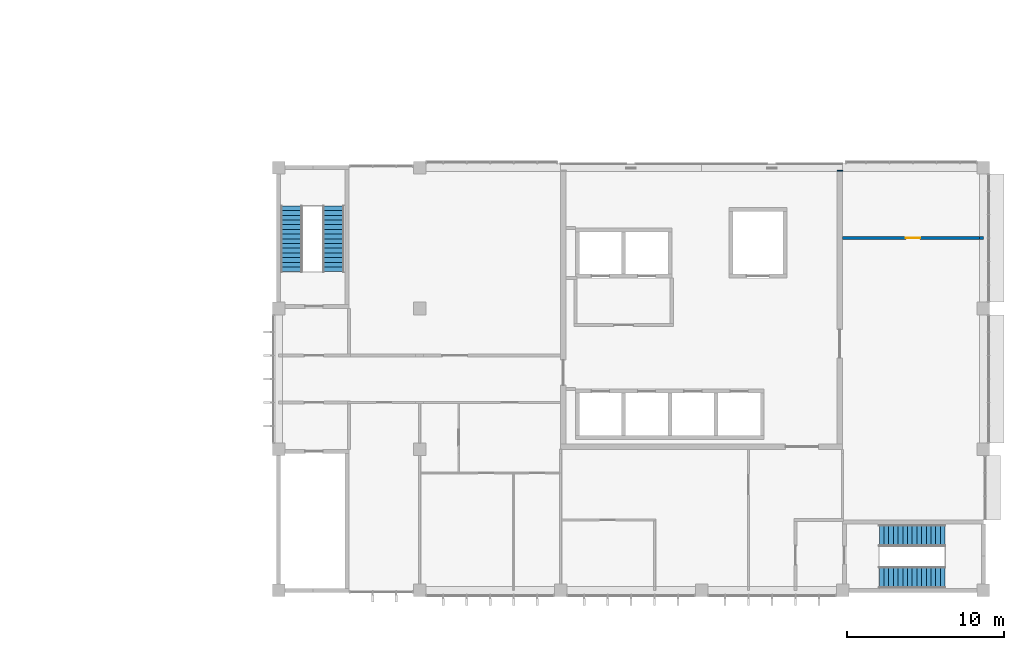
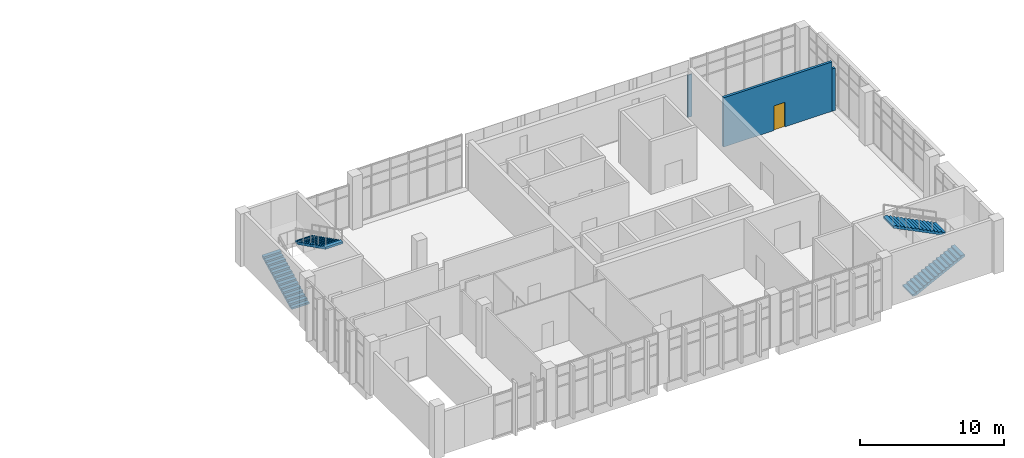
# One storey, part 15 of 19: 4 stair flights, 3 walls, 1 door, 1 opening, 2 elements without a shape of their own.
"""IFC4 building model written with IfcOpenShell, lengths in metres."""

from ifc_helpers import new_model, si_unit, direction, frame, frame_2d, origin, place, context, subcontext, project, spatial, polyline, rectangle, outline, extrude, material, layer, layer_set, type_object, element, fill, aggregate, save


model = new_model("IFC4")

# Units and contexts
model_context = context("Model", 3, precision=1e-05, world=origin(), true_north=direction((0.0, 1.0)))
body_context = subcontext(model_context, "Body", "Model", "MODEL_VIEW")
ifc_project = project(units=[si_unit("LENGTHUNIT", "METRE"), si_unit("AREAUNIT", "SQUARE_METRE"), si_unit("VOLUMEUNIT", "CUBIC_METRE"), si_unit("PLANEANGLEUNIT", "RADIAN"), si_unit("MASSUNIT", "GRAM", prefix="KILO")], contexts=[model_context])

# Site, building, storey
site_placement = place(None, origin())
site = spatial("IfcSite", under=ifc_project, at=site_placement, CompositionType="ELEMENT")
building_placement = place(site_placement, origin())
building = spatial("IfcBuilding", under=site, at=building_placement, Name="Guidao Yard Department Store", CompositionType="ELEMENT")
storey_placement = place(building_placement, frame((0.0, 0.0, 33.0)))
storey = spatial("IfcBuildingStorey", under=building, at=storey_placement, Name="L07", CompositionType="ELEMENT", Elevation=33.0)

# Wall, opening, door
ifc_material_1 = material(Name="Autoclaved aerated concrete block A3.5 B06", Category="concrete")
ifc_layer_1 = layer(ifc_material_1, 0.199951171875)
ifc_layer_set_1 = layer_set([ifc_layer_1], Name="Fire Wall 200 Autoclaved Block EI 120")
wall_type_1 = type_object("IfcWallType", Name="Fire Wall 200 Autoclaved Block EI 120", PredefinedType="PARTITIONING", material=ifc_layer_set_1)
wall_1_placement = place(storey_placement, frame((162.0, 22.5, 0.0), z_axis=(0.0, 0.0, 1.0), x_axis=(1.0, 0.0, 0.0)))
wall_1 = element("IfcWall", 1, at=wall_1_placement, inside=storey, type_object=wall_type_1, Name="pt.wall.L07.0012", PredefinedType="PARTITIONING", context=body_context, shape_type="SweptSolid", body=[
    extrude(rectangle(XDim=8.75, YDim=0.199951171875, at=frame_2d((4.375, 0.0))), origin(), (0.0, 0.0, 1.0), 4.199951171875),
])
opening_placement = place(wall_1_placement, frame((4.050048828125, 0.0, 0.0)))
opening = element("IfcOpeningElement", 2, at=opening_placement, cuts=wall_1, Name="Opening L07-415", PredefinedType="OPENING", context=body_context, shape_type="SweptSolid", body=[
    extrude(rectangle(XDim=0.89990234375, YDim=2.10009765625, at=frame_2d((0.449951171875, 1.050048828125))), frame((0.0, 0.10986328125, 0.0), z_axis=(0.0, -1.0, 0.0), x_axis=(1.0, 0.0, 0.0)), (0.0, 0.0, 1.0), 0.219970703125),
])
ifc_material_2 = material(Name="Timber door leaf with Steel Q235 frame", Category="steel")
door_type = type_object("IfcDoorType", Name="Door 900 x 2100 FD60 Single Leaf", OperationType="SINGLE_SWING_LEFT", PredefinedType="DOOR", material=ifc_material_2)
door_placement = place(opening_placement, origin())
door = element("IfcDoor", 3, at=door_placement, inside=storey, type_object=door_type, Name="Door L07-415", OperationType="SINGLE_SWING_RIGHT", OverallHeight=2.10009765625, OverallWidth=0.89990234375, PredefinedType="DOOR", context=body_context, shape_type="SweptSolid", body=[
    extrude(rectangle(XDim=0.89990234375, YDim=2.10009765625, at=frame_2d((0.449951171875, 1.050048828125))), frame((0.0, 0.02490234375, 0.0), z_axis=(0.0, -1.0, 0.0), x_axis=(1.0, 0.0, 0.0)), (0.0, 0.0, 1.0), 0.050048828125),
])
fill(opening, door)

# Walls
wall_2_placement = place(storey_placement, frame((170.75, 22.5, 0.0), z_axis=(0.0, 0.0, 1.0), x_axis=(1.0, 0.0, 0.0)))
element("IfcWall", 4, at=wall_2_placement, inside=storey, type_object=wall_type_1, Name="pt.wall.L07.0012a", PredefinedType="PARTITIONING", context=body_context, shape_type="SweptSolid", body=[
    extrude(rectangle(XDim=0.25, YDim=0.199951171875, at=frame_2d((0.125, 0.0))), origin(), (0.0, 0.0, 1.0), 3.60009765625),
])
ifc_material_3 = material(Name="Concrete C50", Category="concrete")
ifc_layer_2 = layer(ifc_material_3, 0.35009765625)
ifc_layer_set_2 = layer_set([ifc_layer_2], Name="Shear Wall 350 Concrete C50")
wall_type_2 = type_object("IfcWallType", Name="Shear Wall 350 Concrete C50", PredefinedType="SHEAR", material=ifc_layer_set_2)
wall_3_placement = place(storey_placement, frame((161.824951171875, 26.75, 0.0), z_axis=(0.0, 0.0, 1.0), x_axis=(0.0, 1.0, 0.0)))
element("IfcWall", 5, at=wall_3_placement, inside=storey, type_object=wall_type_2, Name="pt.wall.L07.0027a", PredefinedType="SHEAR", context=body_context, shape_type="SweptSolid", body=[
    extrude(rectangle(XDim=0.074951171875, YDim=0.35009765625, at=frame_2d((0.03759765625, 0.0))), origin(), (0.0, 0.0, 1.0), 3.60009765625),
])

# Stair, stair flights
ifc_material_4 = material(Name="Concrete C35", Category="concrete")
stair_type = type_object("IfcStairType", Name="Stair half-turn two-flight 1400 wide 4.5 m rise", PredefinedType="HALF_TURN_STAIR", material=ifc_material_4)
stair_1_placement = place(storey_placement, origin())
stair_1 = element("IfcStair", 6, at=stair_1_placement, inside=storey, type_object=stair_type, Name="Stair O2 L07 to RF", PredefinedType="HALF_TURN_STAIR")
ifc_material_5 = material(Name="Concrete C35", Category="concrete")
stair_flight_type = type_object("IfcStairFlightType", Name="Stair flight RC straight 1400 wide 15 risers x 300 going C35", PredefinedType="STRAIGHT", material=ifc_material_5)
stair_flight_1_placement = place(storey_placement, frame((164.35009765625, 0.824951171875, 0.0), z_axis=(0.0, 0.0, 1.0), x_axis=(1.0, 0.0, 0.0)))
stair_flight_1 = element("IfcStairFlight", 7, at=stair_flight_1_placement, type_object=stair_flight_type, Name="SO2-L07 flight 1", NumberOfRisers=15, NumberOfTreads=14, PredefinedType="STRAIGHT", RiserHeight=0.15, TreadLength=0.3, context=body_context, shape_type="SweptSolid", body=[
    extrude(outline(polyline([(0.0, 0.0), (0.0, 0.14990234375), (0.300048828125, 0.14990234375), (0.300048828125, 0.300048828125), (0.60009765625, 0.300048828125), (0.60009765625, 0.449951171875), (0.89990234375, 0.449951171875), (0.89990234375, 0.60009765625), (1.199951171875, 0.60009765625), (1.199951171875, 0.75), (1.5, 0.75), (1.5, 0.89990234375), (1.800048828125, 0.89990234375), (1.800048828125, 1.050048828125), (2.10009765625, 1.050048828125), (2.10009765625, 1.199951171875), (2.39990234375, 1.199951171875), (2.39990234375, 1.35009765625), (2.699951171875, 1.35009765625), (2.699951171875, 1.5), (3.0, 1.5), (3.0, 1.64990234375), (3.300048828125, 1.64990234375), (3.300048828125, 1.800048828125), (3.60009765625, 1.800048828125), (3.60009765625, 1.949951171875), (3.89990234375, 1.949951171875), (3.89990234375, 2.10009765625), (4.199951171875, 2.10009765625), (4.199951171875, 2.25), (4.199951171875, 1.932373046875), (0.335205078125, 0.0), (0.0, 0.0)])), frame((0.0, 0.699951171875, 0.0), z_axis=(0.0, -1.0, 0.0), x_axis=(1.0, 0.0, 0.0)), (0.0, 0.0, 1.0), 1.39990234375),
])
stair_flight_2_placement = place(storey_placement, frame((168.550048828125, 3.5, 2.25), z_axis=(0.0, 0.0, 1.0), x_axis=(-1.0, 0.0, 0.0)))
stair_flight_2 = element("IfcStairFlight", 8, at=stair_flight_2_placement, type_object=stair_flight_type, Name="SO2-L07 flight 2", NumberOfRisers=15, NumberOfTreads=14, PredefinedType="STRAIGHT", RiserHeight=0.15, TreadLength=0.3, context=body_context, shape_type="SweptSolid", body=[
    extrude(outline(polyline([(0.0, 0.0), (0.0, 0.14990234375), (0.300048828125, 0.14990234375), (0.300048828125, 0.300048828125), (0.60009765625, 0.300048828125), (0.60009765625, 0.449951171875), (0.89990234375, 0.449951171875), (0.89990234375, 0.60009765625), (1.199951171875, 0.60009765625), (1.199951171875, 0.75), (1.5, 0.75), (1.5, 0.89990234375), (1.800048828125, 0.89990234375), (1.800048828125, 1.050048828125), (2.10009765625, 1.050048828125), (2.10009765625, 1.199951171875), (2.39990234375, 1.199951171875), (2.39990234375, 1.35009765625), (2.699951171875, 1.35009765625), (2.699951171875, 1.5), (3.0, 1.5), (3.0, 1.64990234375), (3.300048828125, 1.64990234375), (3.300048828125, 1.800048828125), (3.60009765625, 1.800048828125), (3.60009765625, 1.949951171875), (3.89990234375, 1.949951171875), (3.89990234375, 2.10009765625), (4.199951171875, 2.10009765625), (4.199951171875, 2.25), (4.199951171875, 1.932373046875), (0.335205078125, 0.0), (0.0, 0.0)])), frame((0.0, 0.699951171875, 0.0), z_axis=(0.0, -1.0, 0.0), x_axis=(1.0, 0.0, 0.0)), (0.0, 0.0, 1.0), 1.39990234375),
])
aggregate(stair_1, [stair_flight_1, stair_flight_2])

stair_2_placement = place(storey_placement, origin())
stair_2 = element("IfcStair", 9, at=stair_2_placement, inside=storey, type_object=stair_type, Name="Stair O3 L07 to RF", PredefinedType="HALF_TURN_STAIR")
stair_flight_3_placement = place(storey_placement, frame((126.824951171875, 20.35009765625, 0.0), z_axis=(0.0, 0.0, 1.0), x_axis=(0.0, 1.0, 0.0)))
stair_flight_3 = element("IfcStairFlight", 10, at=stair_flight_3_placement, type_object=stair_flight_type, Name="SO3-L07 flight 1", NumberOfRisers=15, NumberOfTreads=14, PredefinedType="STRAIGHT", RiserHeight=0.15, TreadLength=0.3, context=body_context, shape_type="SweptSolid", body=[
    extrude(outline(polyline([(0.0, 0.0), (0.0, 0.14990234375), (0.300048828125, 0.14990234375), (0.300048828125, 0.300048828125), (0.60009765625, 0.300048828125), (0.60009765625, 0.449951171875), (0.89990234375, 0.449951171875), (0.89990234375, 0.60009765625), (1.199951171875, 0.60009765625), (1.199951171875, 0.75), (1.5, 0.75), (1.5, 0.89990234375), (1.800048828125, 0.89990234375), (1.800048828125, 1.050048828125), (2.10009765625, 1.050048828125), (2.10009765625, 1.199951171875), (2.39990234375, 1.199951171875), (2.39990234375, 1.35009765625), (2.699951171875, 1.35009765625), (2.699951171875, 1.5), (3.0, 1.5), (3.0, 1.64990234375), (3.300048828125, 1.64990234375), (3.300048828125, 1.800048828125), (3.60009765625, 1.800048828125), (3.60009765625, 1.949951171875), (3.89990234375, 1.949951171875), (3.89990234375, 2.10009765625), (4.199951171875, 2.10009765625), (4.199951171875, 2.25), (4.199951171875, 1.932373046875), (0.335205078125, 0.0), (0.0, 0.0)])), frame((0.0, 0.699951171875, 0.0), z_axis=(0.0, -1.0, 0.0), x_axis=(1.0, 0.0, 0.0)), (0.0, 0.0, 1.0), 1.39990234375),
])
stair_flight_4_placement = place(storey_placement, frame((129.5, 24.550048828125, 2.25), z_axis=(0.0, 0.0, 1.0), x_axis=(0.0, -1.0, 0.0)))
stair_flight_4 = element("IfcStairFlight", 11, at=stair_flight_4_placement, type_object=stair_flight_type, Name="SO3-L07 flight 2", NumberOfRisers=15, NumberOfTreads=14, PredefinedType="STRAIGHT", RiserHeight=0.15, TreadLength=0.3, context=body_context, shape_type="SweptSolid", body=[
    extrude(outline(polyline([(0.0, 0.0), (0.0, 0.14990234375), (0.300048828125, 0.14990234375), (0.300048828125, 0.300048828125), (0.60009765625, 0.300048828125), (0.60009765625, 0.449951171875), (0.89990234375, 0.449951171875), (0.89990234375, 0.60009765625), (1.199951171875, 0.60009765625), (1.199951171875, 0.75), (1.5, 0.75), (1.5, 0.89990234375), (1.800048828125, 0.89990234375), (1.800048828125, 1.050048828125), (2.10009765625, 1.050048828125), (2.10009765625, 1.199951171875), (2.39990234375, 1.199951171875), (2.39990234375, 1.35009765625), (2.699951171875, 1.35009765625), (2.699951171875, 1.5), (3.0, 1.5), (3.0, 1.64990234375), (3.300048828125, 1.64990234375), (3.300048828125, 1.800048828125), (3.60009765625, 1.800048828125), (3.60009765625, 1.949951171875), (3.89990234375, 1.949951171875), (3.89990234375, 2.10009765625), (4.199951171875, 2.10009765625), (4.199951171875, 2.25), (4.199951171875, 1.932373046875), (0.335205078125, 0.0), (0.0, 0.0)])), frame((0.0, 0.699951171875, 0.0), z_axis=(0.0, -1.0, 0.0), x_axis=(1.0, 0.0, 0.0)), (0.0, 0.0, 1.0), 1.39990234375),
])
aggregate(stair_2, [stair_flight_3, stair_flight_4])

save(model, "model.ifc")
